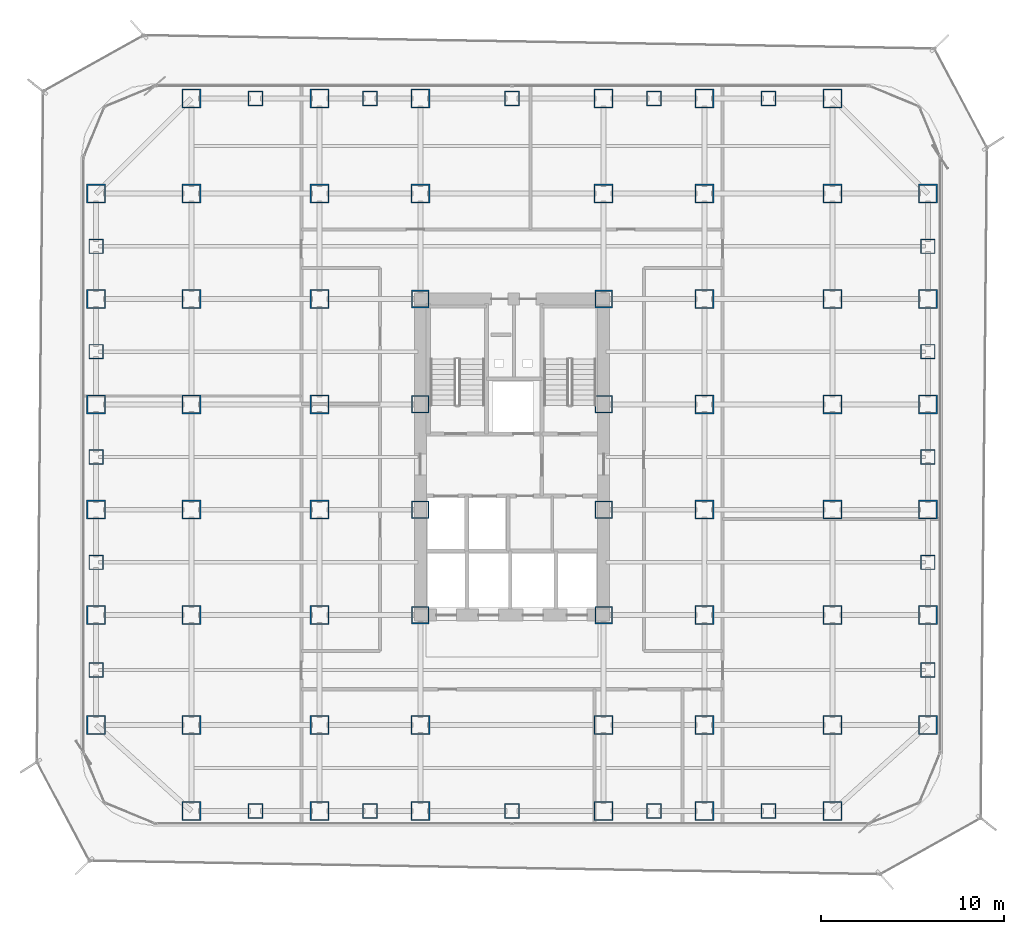
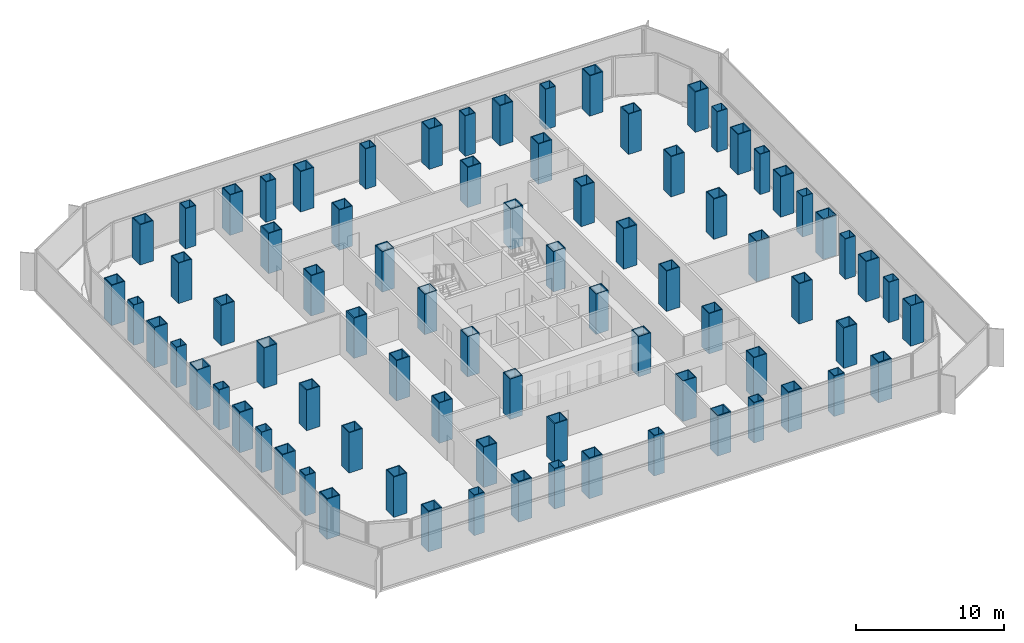
# One storey, part 1 of 21: 80 columns.
"""IFC4 building model written with IfcOpenShell, lengths in metres."""

from ifc_helpers import new_model, si_unit, direction, frame, origin, origin_2d, place, context, subcontext, project, spatial, hollow_rectangle, extrude, source, transform, mapped, material, material_profile, profile_set, type_object, element, save


model = new_model("IFC4")

# Units and contexts
model_context = context("Model", 3, precision=1e-05, world=origin(), true_north=direction((0.0, 1.0)))
body_context = subcontext(model_context, "Body", "Model", "MODEL_VIEW")
ifc_project = project(units=[si_unit("LENGTHUNIT", "METRE"), si_unit("AREAUNIT", "SQUARE_METRE"), si_unit("VOLUMEUNIT", "CUBIC_METRE"), si_unit("PLANEANGLEUNIT", "RADIAN"), si_unit("MASSUNIT", "GRAM", prefix="KILO")], contexts=[model_context])

# Site, building, storey
site_placement = place(None, origin())
site = spatial("IfcSite", under=ifc_project, at=site_placement, CompositionType="ELEMENT")
building_placement = place(site_placement, origin())
building = spatial("IfcBuilding", under=site, at=building_placement, Name="Kolveth Station Tower", CompositionType="ELEMENT")
storey_placement = place(building_placement, frame((0.0, 0.0, 58.5)))
storey = spatial("IfcBuildingStorey", under=building, at=storey_placement, Name="L15", CompositionType="ELEMENT", Elevation=58.5)

# Columns
ifc_material_1 = material(Name="Steel S460", Category="steel")
ifc_material_profile_1 = material_profile(ifc_material_1, hollow_rectangle(XDim=1.0400390625, YDim=1.0400390625, WallThickness=0.06494140625, at=origin_2d()), Name="BOX1040x1040x65")
ifc_profile_set_1 = profile_set([ifc_material_profile_1], Name="Steel S460")
column_type_1 = type_object("IfcColumnType", Name="Col_C2", PredefinedType="COLUMN", material=ifc_profile_set_1)
shared_shape_1 = source(origin(), body_context, "Body", "SweptSolid", [
    extrude(hollow_rectangle(XDim=1.0400390625, YDim=1.0400390625, WallThickness=0.06494140625, at=origin_2d()), origin(), (0.0, 0.0, 1.0), 3.320068359375),
])
for number, where, z_axis, x_axis, name in (
    (1, (6.0, 0.800048828125, 0.0), (0.0, 0.0, 1.0), (1.0, 0.0, 0.0), "L15 Tower Column S-X60"),
    (2, (6.0, 39.699951171875, 0.0), (0.0, 0.0, 1.0), (1.0, 0.0, 0.0), "L15 Tower Column N-X60"),
    (3, (13.0, 0.800048828125, 0.0), (0.0, 0.0, 1.0), (1.0, 0.0, 0.0), "L15 Tower Column S-X130"),
    (4, (13.0, 39.699951171875, 0.0), (0.0, 0.0, 1.0), (1.0, 0.0, 0.0), "L15 Tower Column N-X130"),
    (5, (18.5, 0.800048828125, 0.0), (0.0, 0.0, 1.0), (1.0, 0.0, 0.0), "L15 Tower Column S-X185"),
    (6, (18.5, 39.699951171875, 0.0), (0.0, 0.0, 1.0), (1.0, 0.0, 0.0), "L15 Tower Column N-X185"),
    (7, (28.5, 0.800048828125, 0.0), (0.0, 0.0, 1.0), (1.0, 0.0, 0.0), "L15 Tower Column S-X285"),
    (8, (28.5, 39.699951171875, 0.0), (0.0, 0.0, 1.0), (1.0, 0.0, 0.0), "L15 Tower Column N-X285"),
    (9, (34.0, 0.800048828125, 0.0), (0.0, 0.0, 1.0), (1.0, 0.0, 0.0), "L15 Tower Column S-X340"),
    (10, (34.0, 39.699951171875, 0.0), (0.0, 0.0, 1.0), (1.0, 0.0, 0.0), "L15 Tower Column N-X340"),
    (11, (41.0, 0.800048828125, 0.0), (0.0, 0.0, 1.0), (1.0, 0.0, 0.0), "L15 Tower Column S-X410"),
    (12, (41.0, 39.699951171875, 0.0), (0.0, 0.0, 1.0), (1.0, 0.0, 0.0), "L15 Tower Column N-X410"),
    (13, (0.800048828125, 5.5, 0.0), (0.0, 0.0, 1.0), (1.0, 0.0, 0.0), "L15 Tower Column W-Y55"),
    (14, (46.199951171875, 5.5, 0.0), (0.0, 0.0, 1.0), (1.0, 0.0, 0.0), "L15 Tower Column E-Y55"),
    (15, (0.800048828125, 11.5, 0.0), (0.0, 0.0, 1.0), (1.0, 0.0, 0.0), "L15 Tower Column W-Y115"),
    (16, (46.199951171875, 11.5, 0.0), (0.0, 0.0, 1.0), (1.0, 0.0, 0.0), "L15 Tower Column E-Y115"),
    (17, (0.800048828125, 17.25, 0.0), (0.0, 0.0, 1.0), (1.0, 0.0, 0.0), "L15 Tower Column W-Y172"),
    (18, (46.199951171875, 17.25, 0.0), (0.0, 0.0, 1.0), (1.0, 0.0, 0.0), "L15 Tower Column E-Y172"),
    (19, (0.800048828125, 23.0, 0.0), (0.0, 0.0, 1.0), (1.0, 0.0, 0.0), "L15 Tower Column W-Y230"),
    (20, (46.199951171875, 23.0, 0.0), (0.0, 0.0, 1.0), (1.0, 0.0, 0.0), "L15 Tower Column E-Y230"),
    (21, (0.800048828125, 28.75, 0.0), (0.0, 0.0, 1.0), (1.0, 0.0, 0.0), "L15 Tower Column W-Y287"),
    (22, (46.199951171875, 28.75, 0.0), (0.0, 0.0, 1.0), (1.0, 0.0, 0.0), "L15 Tower Column E-Y287"),
    (23, (0.800048828125, 34.5, 0.0), (0.0, 0.0, 1.0), (1.0, 0.0, 0.0), "L15 Tower Column W-Y345"),
    (24, (46.199951171875, 34.5, 0.0), (0.0, 0.0, 1.0), (1.0, 0.0, 0.0), "L15 Tower Column E-Y345"),
    (25, (6.0, 5.5, 0.0), (0.0, 0.0, 1.0), (1.0, 0.0, 0.0), "L15 Tower Column G-60-55"),
    (26, (6.0, 11.5, 0.0), (0.0, 0.0, 1.0), (1.0, 0.0, 0.0), "L15 Tower Column G-60-115"),
    (27, (6.0, 17.25, 0.0), (0.0, 0.0, 1.0), (1.0, 0.0, 0.0), "L15 Tower Column G-60-172"),
    (28, (6.0, 23.0, 0.0), (0.0, 0.0, 1.0), (1.0, 0.0, 0.0), "L15 Tower Column G-60-230"),
    (29, (6.0, 28.75, 0.0), (0.0, 0.0, 1.0), (1.0, 0.0, 0.0), "L15 Tower Column G-60-287"),
    (30, (6.0, 34.5, 0.0), (0.0, 0.0, 1.0), (1.0, 0.0, 0.0), "L15 Tower Column G-60-345"),
    (31, (13.0, 5.5, 0.0), (0.0, 0.0, 1.0), (1.0, 0.0, 0.0), "L15 Tower Column G-130-55"),
    (32, (13.0, 11.5, 0.0), (0.0, 0.0, 1.0), (1.0, 0.0, 0.0), "L15 Tower Column G-130-115"),
    (33, (13.0, 17.25, 0.0), (0.0, 0.0, 1.0), (1.0, 0.0, 0.0), "L15 Tower Column G-130-172"),
    (34, (13.0, 23.0, 0.0), (0.0, 0.0, 1.0), (1.0, 0.0, 0.0), "L15 Tower Column G-130-230"),
    (35, (13.0, 28.75, 0.0), (0.0, 0.0, 1.0), (1.0, 0.0, 0.0), "L15 Tower Column G-130-287"),
    (36, (13.0, 34.5, 0.0), (0.0, 0.0, 1.0), (1.0, 0.0, 0.0), "L15 Tower Column G-130-345"),
    (37, (18.5, 5.5, 0.0), (0.0, 0.0, 1.0), (1.0, 0.0, 0.0), "L15 Tower Column G-185-55"),
    (38, (18.5, 34.5, 0.0), (0.0, 0.0, 1.0), (1.0, 0.0, 0.0), "L15 Tower Column G-185-345"),
    (39, (28.5, 5.5, 0.0), (0.0, 0.0, 1.0), (1.0, 0.0, 0.0), "L15 Tower Column G-285-55"),
    (40, (28.5, 34.5, 0.0), (0.0, 0.0, 1.0), (1.0, 0.0, 0.0), "L15 Tower Column G-285-345"),
    (41, (34.0, 5.5, 0.0), (0.0, 0.0, 1.0), (1.0, 0.0, 0.0), "L15 Tower Column G-340-55"),
    (42, (34.0, 11.5, 0.0), (0.0, 0.0, 1.0), (1.0, 0.0, 0.0), "L15 Tower Column G-340-115"),
    (43, (34.0, 17.25, 0.0), (0.0, 0.0, 1.0), (1.0, 0.0, 0.0), "L15 Tower Column G-340-172"),
    (44, (34.0, 23.0, 0.0), (0.0, 0.0, 1.0), (1.0, 0.0, 0.0), "L15 Tower Column G-340-230"),
    (45, (34.0, 28.75, 0.0), (0.0, 0.0, 1.0), (1.0, 0.0, 0.0), "L15 Tower Column G-340-287"),
    (46, (34.0, 34.5, 0.0), (0.0, 0.0, 1.0), (1.0, 0.0, 0.0), "L15 Tower Column G-340-345"),
    (47, (41.0, 5.5, 0.0), (0.0, 0.0, 1.0), (1.0, 0.0, 0.0), "L15 Tower Column G-410-55"),
    (48, (41.0, 11.5, 0.0), (0.0, 0.0, 1.0), (1.0, 0.0, 0.0), "L15 Tower Column G-410-115"),
    (49, (41.0, 17.25, 0.0), (0.0, 0.0, 1.0), (1.0, 0.0, 0.0), "L15 Tower Column G-410-172"),
    (50, (41.0, 23.0, 0.0), (0.0, 0.0, 1.0), (1.0, 0.0, 0.0), "L15 Tower Column G-410-230"),
    (51, (41.0, 28.75, 0.0), (0.0, 0.0, 1.0), (1.0, 0.0, 0.0), "L15 Tower Column G-410-287"),
    (52, (41.0, 34.5, 0.0), (0.0, 0.0, 1.0), (1.0, 0.0, 0.0), "L15 Tower Column G-410-345"),
):
    element("IfcColumn", number, at=place(storey_placement, frame(where, z_axis=z_axis, x_axis=x_axis)), inside=storey, type_object=column_type_1, Name=name, PredefinedType="COLUMN", context=body_context, shape_type="MappedRepresentation", body=[
        mapped(shared_shape_1, transform((0.0, 0.0, 0.0), x_axis=(1.0, 0.0, 0.0), y_axis=(0.0, 1.0, 0.0), z_axis=(0.0, 0.0, 1.0), scale=1.0)),
    ])
ifc_material_profile_2 = material_profile(ifc_material_1, hollow_rectangle(XDim=0.9599609375, YDim=0.9599609375, WallThickness=0.06005859375, at=origin_2d()), Name="BOX960x960x60")
ifc_profile_set_2 = profile_set([ifc_material_profile_2], Name="Steel S460")
column_type_2 = type_object("IfcColumnType", Name="Col_C3", PredefinedType="COLUMN", material=ifc_profile_set_2)
shared_shape_2 = source(origin(), body_context, "Body", "SweptSolid", [
    extrude(hollow_rectangle(XDim=0.9599609375, YDim=0.9599609375, WallThickness=0.06005859375, at=origin_2d()), origin(), (0.0, 0.0, 1.0), 3.320068359375),
])
for number, where, z_axis, x_axis, name in (
    (53, (18.5, 11.5, 0.0), (0.0, 0.0, 1.0), (1.0, 0.0, 0.0), "L15 Tower Column G-185-115"),
    (54, (18.5, 17.25, 0.0), (0.0, 0.0, 1.0), (1.0, 0.0, 0.0), "L15 Tower Column G-185-172"),
    (55, (18.5, 23.0, 0.0), (0.0, 0.0, 1.0), (1.0, 0.0, 0.0), "L15 Tower Column G-185-230"),
    (56, (18.5, 28.75, 0.0), (0.0, 0.0, 1.0), (1.0, 0.0, 0.0), "L15 Tower Column G-185-287"),
    (57, (28.5, 11.5, 0.0), (0.0, 0.0, 1.0), (1.0, 0.0, 0.0), "L15 Tower Column G-285-115"),
    (58, (28.5, 17.25, 0.0), (0.0, 0.0, 1.0), (1.0, 0.0, 0.0), "L15 Tower Column G-285-172"),
    (59, (28.5, 23.0, 0.0), (0.0, 0.0, 1.0), (1.0, 0.0, 0.0), "L15 Tower Column G-285-230"),
    (60, (28.5, 28.75, 0.0), (0.0, 0.0, 1.0), (1.0, 0.0, 0.0), "L15 Tower Column G-285-287"),
):
    element("IfcColumn", number, at=place(storey_placement, frame(where, z_axis=z_axis, x_axis=x_axis)), inside=storey, type_object=column_type_2, Name=name, PredefinedType="COLUMN", context=body_context, shape_type="MappedRepresentation", body=[
        mapped(shared_shape_2, transform((0.0, 0.0, 0.0), x_axis=(1.0, 0.0, 0.0), y_axis=(0.0, 1.0, 0.0), z_axis=(0.0, 0.0, 1.0), scale=1.0)),
    ])
ifc_material_2 = material(Name="Steel S355", Category="steel")
ifc_material_profile_3 = material_profile(ifc_material_2, hollow_rectangle(XDim=0.800048828125, YDim=0.800048828125, WallThickness=0.044921875, at=origin_2d()), Name="BOX800x800x45")
ifc_profile_set_3 = profile_set([ifc_material_profile_3], Name="Steel S355")
column_type_3 = type_object("IfcColumnType", Name="Col_C5", PredefinedType="COLUMN", material=ifc_profile_set_3)
shared_shape_3 = source(origin(), body_context, "Body", "SweptSolid", [
    extrude(hollow_rectangle(XDim=0.800048828125, YDim=0.800048828125, WallThickness=0.044921875, at=origin_2d()), origin(), (0.0, 0.0, 1.0), 3.320068359375),
])
for number, where, z_axis, x_axis, name in (
    (61, (9.5, 0.800048828125, 0.0), (0.0, 0.0, 1.0), (1.0, 0.0, 0.0), "L15 Tower Column MS-X95"),
    (62, (9.5, 39.699951171875, 0.0), (0.0, 0.0, 1.0), (1.0, 0.0, 0.0), "L15 Tower Column MN-X95"),
    (63, (15.75, 0.800048828125, 0.0), (0.0, 0.0, 1.0), (1.0, 0.0, 0.0), "L15 Tower Column MS-X157"),
    (64, (15.75, 39.699951171875, 0.0), (0.0, 0.0, 1.0), (1.0, 0.0, 0.0), "L15 Tower Column MN-X157"),
    (65, (23.5, 0.800048828125, 0.0), (0.0, 0.0, 1.0), (1.0, 0.0, 0.0), "L15 Tower Column MS-X235"),
    (66, (23.5, 39.699951171875, 0.0), (0.0, 0.0, 1.0), (1.0, 0.0, 0.0), "L15 Tower Column MN-X235"),
    (67, (31.25, 0.800048828125, 0.0), (0.0, 0.0, 1.0), (1.0, 0.0, 0.0), "L15 Tower Column MS-X312"),
    (68, (31.25, 39.699951171875, 0.0), (0.0, 0.0, 1.0), (1.0, 0.0, 0.0), "L15 Tower Column MN-X312"),
    (69, (37.5, 0.800048828125, 0.0), (0.0, 0.0, 1.0), (1.0, 0.0, 0.0), "L15 Tower Column MS-X375"),
    (70, (37.5, 39.699951171875, 0.0), (0.0, 0.0, 1.0), (1.0, 0.0, 0.0), "L15 Tower Column MN-X375"),
    (71, (0.800048828125, 8.5, 0.0), (0.0, 0.0, 1.0), (1.0, 0.0, 0.0), "L15 Tower Column MW-Y85"),
    (72, (46.199951171875, 8.5, 0.0), (0.0, 0.0, 1.0), (1.0, 0.0, 0.0), "L15 Tower Column ME-Y85"),
    (73, (0.800048828125, 14.375, 0.0), (0.0, 0.0, 1.0), (1.0, 0.0, 0.0), "L15 Tower Column MW-Y143"),
    (74, (46.199951171875, 14.375, 0.0), (0.0, 0.0, 1.0), (1.0, 0.0, 0.0), "L15 Tower Column ME-Y143"),
    (75, (0.800048828125, 20.125, 0.0), (0.0, 0.0, 1.0), (1.0, 0.0, 0.0), "L15 Tower Column MW-Y201"),
    (76, (46.199951171875, 20.125, 0.0), (0.0, 0.0, 1.0), (1.0, 0.0, 0.0), "L15 Tower Column ME-Y201"),
    (77, (0.800048828125, 25.875, 0.0), (0.0, 0.0, 1.0), (1.0, 0.0, 0.0), "L15 Tower Column MW-Y258"),
    (78, (46.199951171875, 25.875, 0.0), (0.0, 0.0, 1.0), (1.0, 0.0, 0.0), "L15 Tower Column ME-Y258"),
    (79, (0.800048828125, 31.625, 0.0), (0.0, 0.0, 1.0), (1.0, 0.0, 0.0), "L15 Tower Column MW-Y316"),
    (80, (46.199951171875, 31.625, 0.0), (0.0, 0.0, 1.0), (1.0, 0.0, 0.0), "L15 Tower Column ME-Y316"),
):
    element("IfcColumn", number, at=place(storey_placement, frame(where, z_axis=z_axis, x_axis=x_axis)), inside=storey, type_object=column_type_3, Name=name, PredefinedType="COLUMN", context=body_context, shape_type="MappedRepresentation", body=[
        mapped(shared_shape_3, transform((0.0, 0.0, 0.0), x_axis=(1.0, 0.0, 0.0), y_axis=(0.0, 1.0, 0.0), z_axis=(0.0, 0.0, 1.0), scale=1.0)),
    ])

save(model, "model.ifc")
